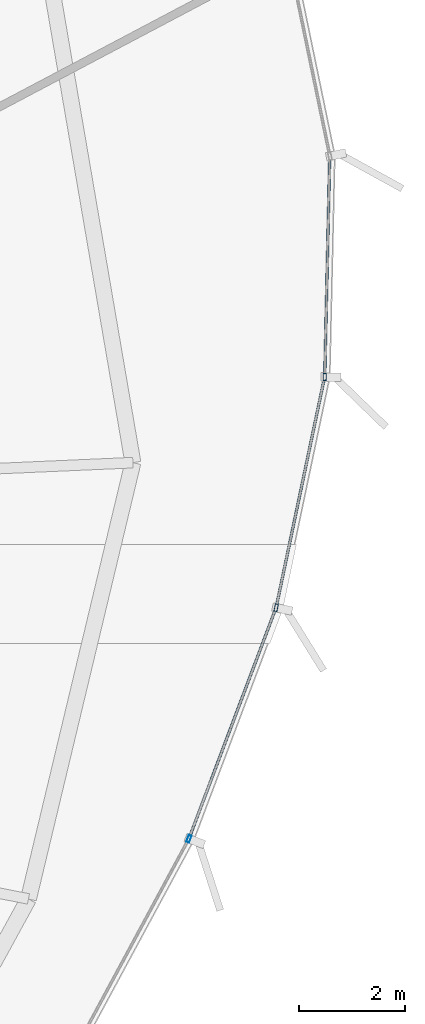
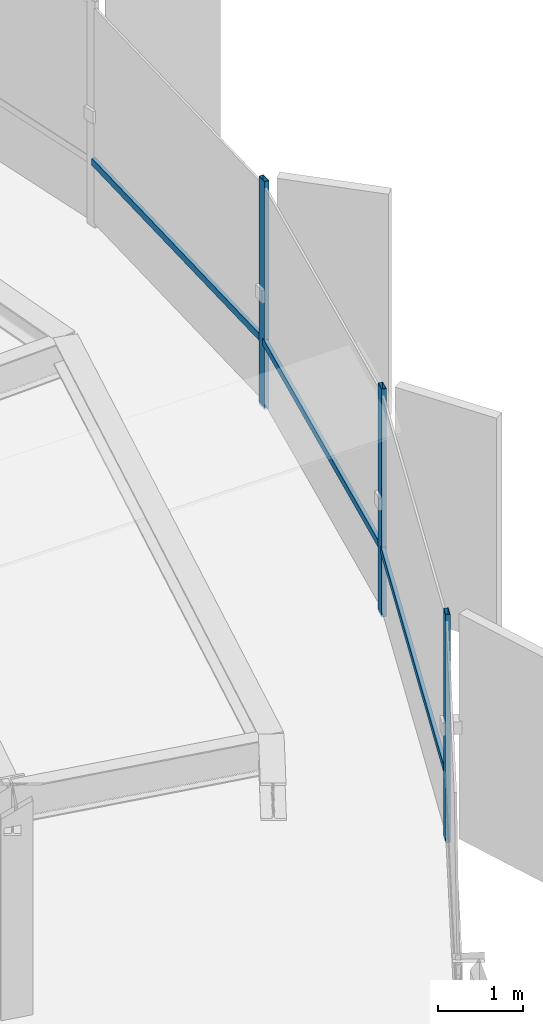
# One storey, part 19 of 36: 6 members, 1 element without a shape of its own.
"""IFC4 building model written with IfcOpenShell, lengths in metres."""

from ifc_helpers import new_model, si_unit, direction, frame, origin, origin_2d, place, context, subcontext, project, spatial, hollow_rectangle, extrude, source, transform, mapped, material, layer, layer_set, material_profile, profile_set, type_object, element, aggregate, save


model = new_model("IFC4")

# Units and contexts
model_context = context("Model", 3, precision=1e-05, world=origin(), true_north=direction((0.0, 1.0)))
body_context = subcontext(model_context, "Body", "Model", "MODEL_VIEW")
ifc_project = project(units=[si_unit("LENGTHUNIT", "METRE"), si_unit("AREAUNIT", "SQUARE_METRE"), si_unit("VOLUMEUNIT", "CUBIC_METRE"), si_unit("PLANEANGLEUNIT", "RADIAN"), si_unit("MASSUNIT", "GRAM", prefix="KILO"), si_unit("THERMODYNAMICTEMPERATUREUNIT", "KELVIN")], contexts=[model_context])

# Site, building, storey
site_placement = place(None, origin())
site = spatial("IfcSite", under=ifc_project, at=site_placement, CompositionType="ELEMENT")
building_placement = place(site_placement, origin())
building = spatial("IfcBuilding", under=site, at=building_placement, Name="Kethvar Cultural Tower", CompositionType="ELEMENT")
storey_placement = place(building_placement, frame((0.0, 0.0, 176.39990234375)))
storey = spatial("IfcBuildingStorey", under=building, at=storey_placement, Name="L45", CompositionType="ELEMENT", Elevation=176.39990234375)

# Curtain wall, members
ifc_material = material(Name="Aluminium 6063-T6", Category="aluminium")
ifc_layer = layer(ifc_material, 0.179931640625, Name="Aluminium 6063-T6", Category="aluminium")
ifc_layer_set = layer_set([ifc_layer], Name="Aluminium 6063-T6 (180 mm)")
curtain_wall_type = type_object("IfcCurtainWallType", Name="CW-SYS-04-Z34", PredefinedType="NOTDEFINED", material=ifc_layer_set)
curtain_wall_placement = place(storey_placement, origin())
curtain_wall = element("IfcCurtainWall", 1, at=curtain_wall_placement, inside=storey, type_object=curtain_wall_type, Name="L45 Curtain Wall Run 06", PredefinedType="NOTDEFINED")
ifc_material_profile_1 = material_profile(ifc_material, hollow_rectangle(XDim=0.06005859375, YDim=0.139892578125, WallThickness=0.0048828125, at=origin_2d()), Name="Aluminium 6063-T6 — RHS140x60x5")
ifc_profile_set_1 = profile_set([ifc_material_profile_1], Name="Aluminium 6063-T6 — RHS140x60x5")
member_type_1 = type_object("IfcMemberType", Name="CW-SYS-04-Z34-MUL", PredefinedType="MULLION", material=ifc_profile_set_1)
shared_shape_1 = source(origin(), body_context, "Body", "SweptSolid", [
    extrude(hollow_rectangle(XDim=0.06005859375, YDim=0.139892578125, WallThickness=0.0048828125, at=origin_2d()), origin(), (0.0, 0.0, 1.0), 3.260009765625),
])
member_1_placement = place(storey_placement, frame((70.819580078125, 24.76220703125, 0.0), z_axis=(0.0, 0.0, 1.0), x_axis=(-0.93573367316, 0.352707375758, 0.0)))
member_1 = element("IfcMember", 2, at=member_1_placement, type_object=member_type_1, Name="CW-L45-R06 Mullion 2", PredefinedType="MULLION", context=body_context, shape_type="MappedRepresentation", body=[
    mapped(shared_shape_1, transform((0.0, 0.0, 0.0), scale=1.0)),
])
member_2_placement = place(storey_placement, frame((72.46728515625, 29.130126953125, 0.0), z_axis=(0.0, 0.0, 1.0), x_axis=(-0.978606047884, 0.205743051022, 0.0)))
member_2 = element("IfcMember", 3, at=member_2_placement, type_object=member_type_1, Name="CW-L45-R06 Mullion 3", PredefinedType="MULLION", context=body_context, shape_type="MappedRepresentation", body=[
    mapped(shared_shape_1, transform((0.0, 0.0, 0.0), scale=1.0)),
])
member_3_placement = place(storey_placement, frame((73.385986328125, 33.490966796875, 0.0), z_axis=(0.0, 0.0, 1.0), x_axis=(-0.999743795858, 0.022634987141, 0.0)))
member_3 = element("IfcMember", 4, at=member_3_placement, type_object=member_type_1, Name="CW-L45-R06 Mullion 4", PredefinedType="MULLION", context=body_context, shape_type="MappedRepresentation", body=[
    mapped(shared_shape_1, transform((0.0, 0.0, 0.0), scale=1.0)),
])
ifc_material_profile_2 = material_profile(ifc_material, hollow_rectangle(XDim=0.050048828125, YDim=0.10009765625, WallThickness=0.00390625, at=origin_2d()), Name="Aluminium 6063-T6 — RHS100x50x4")
ifc_profile_set_2 = profile_set([ifc_material_profile_2], Name="Aluminium 6063-T6 — RHS100x50x4")
member_type_2 = type_object("IfcMemberType", Name="CW-SYS-04-Z34-TRN", PredefinedType="USERDEFINED", material=ifc_profile_set_2)
shared_shape_2 = source(origin(), body_context, "Body", "SweptSolid", [
    extrude(hollow_rectangle(XDim=0.050048828125, YDim=0.10009765625, WallThickness=0.00390625, at=origin_2d()), origin(), (0.0, 0.0, 1.0), 4.59912109375),
])
member_4_placement = place(storey_placement, frame((70.834716796875, 24.802490234375, 0.9501953125), z_axis=(0.352699508009, 0.935736638724, 0.0), x_axis=(-0.935736638724, 0.352699508009, 0.0)))
member_4 = element("IfcMember", 5, at=member_4_placement, type_object=member_type_2, Name="CW-L45-R06 Transom 2", ObjectType="TRANSOM", PredefinedType="USERDEFINED", context=body_context, shape_type="MappedRepresentation", body=[
    mapped(shared_shape_2, transform((0.0, 0.0, 0.0), scale=1.0)),
])
shared_shape_3 = source(origin(), body_context, "Body", "SweptSolid", [
    extrude(hollow_rectangle(XDim=0.050048828125, YDim=0.10009765625, WallThickness=0.00390625, at=origin_2d()), origin(), (0.0, 0.0, 1.0), 4.390625),
])
member_5_placement = place(storey_placement, frame((72.47607421875, 29.17236328125, 0.9501953125), z_axis=(0.205741441513, 0.978606386268, 0.0), x_axis=(-0.978606386268, 0.205741441513, 0.0)))
member_5 = element("IfcMember", 6, at=member_5_placement, type_object=member_type_2, Name="CW-L45-R06 Transom 3", ObjectType="TRANSOM", PredefinedType="USERDEFINED", context=body_context, shape_type="MappedRepresentation", body=[
    mapped(shared_shape_3, transform((0.0, 0.0, 0.0), scale=1.0)),
])
shared_shape_4 = source(origin(), body_context, "Body", "SweptSolid", [
    extrude(hollow_rectangle(XDim=0.050048828125, YDim=0.10009765625, WallThickness=0.00390625, at=origin_2d()), origin(), (0.0, 0.0, 1.0), 4.112060546875),
])
member_6_placement = place(storey_placement, frame((73.386962890625, 33.5341796875, 0.9501953125), z_axis=(0.022620257334, 0.999744129244, 0.0), x_axis=(-0.999744129244, 0.022620257334, 0.0)))
member_6 = element("IfcMember", 7, at=member_6_placement, type_object=member_type_2, Name="CW-L45-R06 Transom 4", ObjectType="TRANSOM", PredefinedType="USERDEFINED", context=body_context, shape_type="MappedRepresentation", body=[
    mapped(shared_shape_4, transform((0.0, 0.0, 0.0), scale=1.0)),
])
aggregate(curtain_wall, [member_1, member_2, member_3, member_4, member_5, member_6])

save(model, "model.ifc")
